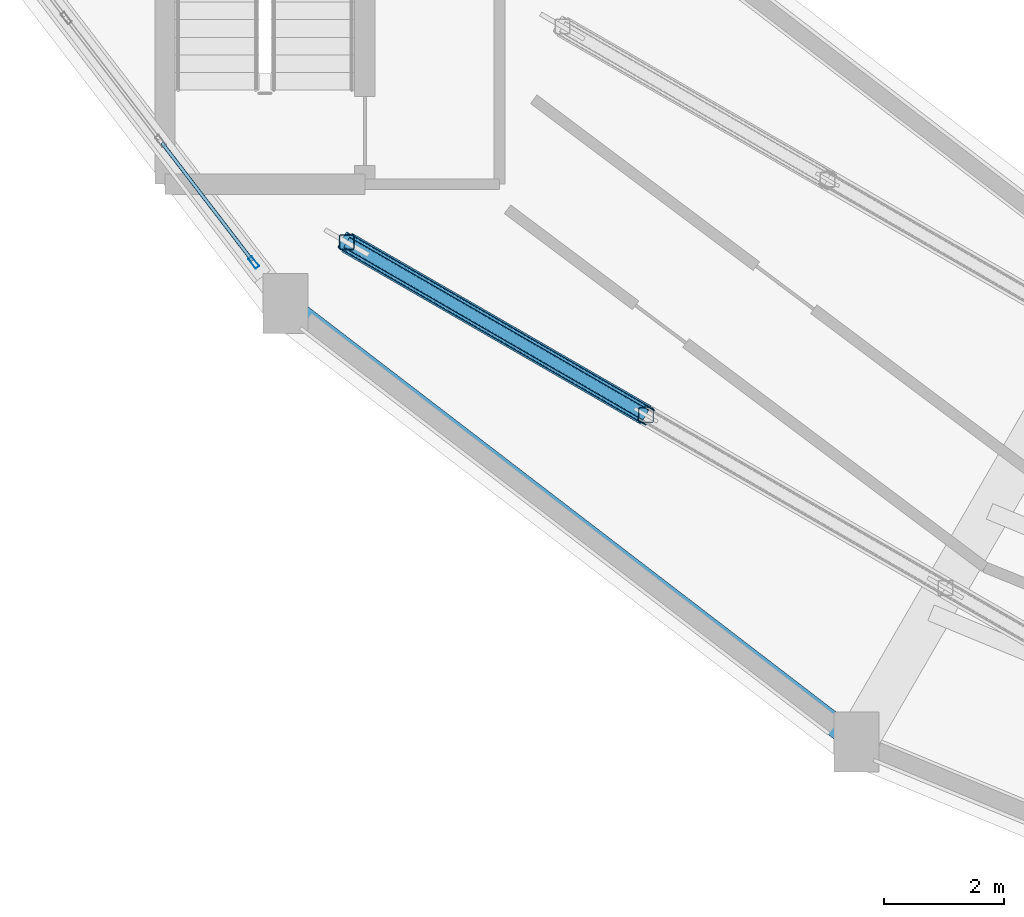
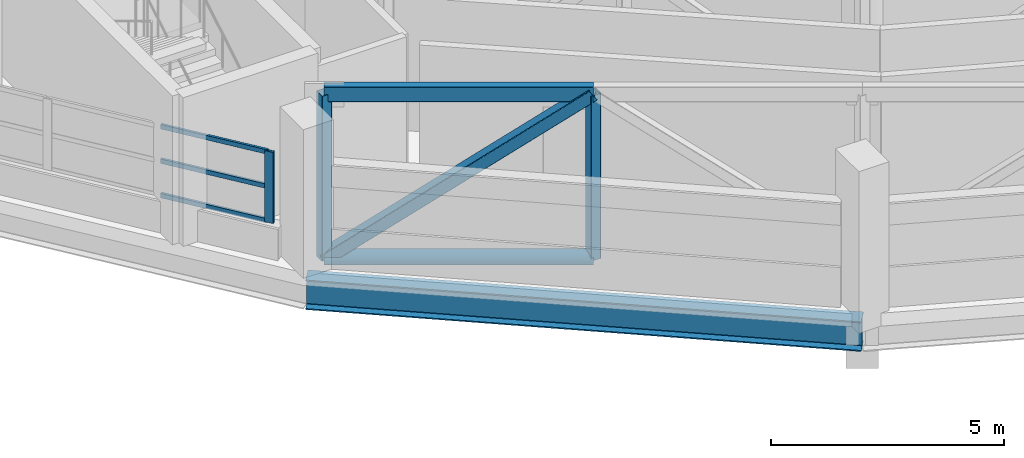
# One storey, part 12 of 121: 9 members, 1 beam, 1 element without a shape of its own.
"""IFC4 building model written with IfcOpenShell, lengths in metres."""

from ifc_helpers import new_model, si_unit, direction, frame, origin, origin_2d, place, context, subcontext, project, spatial, hollow_rectangle, hollow_circle, i_section, extrude, material, layer, layer_set, material_profile, profile_set, type_object, element, aggregate, save


model = new_model("IFC4")

# Units and contexts
model_context = context("Model", 3, precision=1e-05, world=origin(), true_north=direction((0.0, 1.0)))
body_context = subcontext(model_context, "Body", "Model", "MODEL_VIEW")
ifc_project = project(units=[si_unit("LENGTHUNIT", "METRE"), si_unit("AREAUNIT", "SQUARE_METRE"), si_unit("VOLUMEUNIT", "CUBIC_METRE"), si_unit("PLANEANGLEUNIT", "RADIAN"), si_unit("MASSUNIT", "GRAM", prefix="KILO")], contexts=[model_context])

# Site, building, storey
site_placement = place(None, origin())
site = spatial("IfcSite", under=ifc_project, at=site_placement, CompositionType="ELEMENT")
building_placement = place(site_placement, origin())
building = spatial("IfcBuilding", under=site, at=building_placement, Name="Vespera Passage Community Centre", CompositionType="ELEMENT")
storey_placement = place(building_placement, frame((0.0, 0.0, 8.699951171875)))
storey = spatial("IfcBuildingStorey", under=building, at=storey_placement, Name="L02", CompositionType="ELEMENT", Elevation=8.699951171875)

# Member
ifc_material_1 = material(Name="Steel ASTM A500 Grade C", Category="steel")
ifc_material_profile_1 = material_profile(ifc_material_1, hollow_circle(Radius=0.177734375, WallThickness=0.014892578125, at=origin_2d()), Name="CHS356X15.9")
ifc_profile_set_1 = profile_set([ifc_material_profile_1], Name="Steel ASTM A500 Grade C")
member_type_1 = type_object("IfcMemberType", Name="BC-356", PredefinedType="CHORD", material=ifc_profile_set_1)
member_1_placement = place(storey_placement, frame((46.427734375, 33.927734375, -0.849853515625), z_axis=(0.866013897511, -0.50001992892, 0.0), x_axis=(0.50001992892, 0.866013897511, 0.0)))
element("IfcMember", 1, at=member_1_placement, inside=storey, type_object=member_type_1, Name="BC-356 Transfer Truss Chord TR2O.1", PredefinedType="CHORD", context=body_context, shape_type="SweptSolid", body=[
    extrude(hollow_circle(Radius=0.177734375, WallThickness=0.014892578125, at=origin_2d()), origin(), (0.0, 0.0, 1.0), 5.778076171875),
])

# Beam
ifc_material_2 = material(Name="Steel ASTM A992 Grade 50", Category="steel")
ifc_material_profile_2 = material_profile(ifc_material_2, i_section(OverallWidth=0.382080078125, OverallDepth=0.779296875, WebThickness=0.01806640625, FlangeThickness=0.030029296875, FilletRadius=0.0166015625, at=origin_2d()), Name="W30X191")
ifc_profile_set_2 = profile_set([ifc_material_profile_2], Name="Steel ASTM A992 Grade 50")
beam_type = type_object("IfcBeamType", Name="BM-SP-W30X191E", PredefinedType="SPANDREL", material=ifc_profile_set_2)
beam_placement = place(storey_placement, frame((45.40234375, 32.90234375, -0.729736328125), z_axis=(0.793351934501, -0.608763261066, 0.0), x_axis=(0.608763261066, 0.793351934501, 0.0)))
element("IfcBeam", 2, at=beam_placement, inside=storey, type_object=beam_type, Name="V4 L02 Outer Spandrel 15", PredefinedType="SPANDREL", context=body_context, shape_type="SweptSolid", body=[
    extrude(i_section(OverallWidth=0.382080078125, OverallDepth=0.779296875, WebThickness=0.01806640625, FlangeThickness=0.030029296875, FilletRadius=0.0166015625, at=origin_2d()), origin(), (0.0, 0.0, 1.0), 12.034423828125),
])

# Curtain wall, members
ifc_material_3 = material(Name="Anodized aluminium 6063-T6", Category="aluminium")
ifc_layer = layer(ifc_material_3, 0.159912109375)
ifc_layer_set = layer_set([ifc_layer], Name="Anodized aluminium 6063-T6")
curtain_wall_type = type_object("IfcCurtainWallType", Name="CW-36E", PredefinedType="NOTDEFINED", material=ifc_layer_set)
curtain_wall_placement = place(storey_placement, origin())
curtain_wall = element("IfcCurtainWall", 3, at=curtain_wall_placement, inside=storey, type_object=curtain_wall_type, Name="V4 L02 Outer Ribbon Curtain Wall 14", PredefinedType="NOTDEFINED")
ifc_material_4 = material(Name="Anodized aluminium 6063-T6", Category="aluminium")
ifc_material_profile_3 = material_profile(ifc_material_4, hollow_rectangle(XDim=0.074951171875, YDim=0.2099609375, WallThickness=0.0048828125, InnerFilletRadius=0.00244140625, OuterFilletRadius=0.0048828125, at=origin_2d()), Name="ALU210X75X5")
ifc_profile_set_3 = profile_set([ifc_material_profile_3], Name="Anodized aluminium 6063-T6")
member_type_2 = type_object("IfcMemberType", Name="MB-CWM-210E", PredefinedType="MULLION", material=ifc_profile_set_3)
member_2_placement = place(storey_placement, frame((44.873779296875, 33.591552734375, 0.820068359375), z_axis=(0.0, 0.0, 1.0), x_axis=(-0.793350257139, -0.608765447029, 0.0)))
member_2 = element("IfcMember", 4, at=member_2_placement, type_object=member_type_2, Name="CW-36E mullion 1", PredefinedType="MULLION", context=body_context, shape_type="SweptSolid", body=[
    extrude(hollow_rectangle(XDim=0.074951171875, YDim=0.2099609375, WallThickness=0.0048828125, InnerFilletRadius=0.00244140625, OuterFilletRadius=0.0048828125, at=origin_2d()), origin(), (0.0, 0.0, 1.0), 1.865478515625),
])
ifc_material_5 = material(Name="Anodized aluminium 6063-T6", Category="aluminium")
ifc_material_profile_4 = material_profile(ifc_material_5, hollow_rectangle(XDim=0.06005859375, YDim=0.1201171875, WallThickness=0.00390625, InnerFilletRadius=0.001953125, OuterFilletRadius=0.00390625, at=origin_2d()), Name="ALU120X60X4")
ifc_profile_set_4 = profile_set([ifc_material_profile_4], Name="Anodized aluminium 6063-T6")
member_type_3 = type_object("IfcMemberType", Name="MB-CWT-120E", PredefinedType="USERDEFINED", material=ifc_profile_set_4)
member_3_placement = place(storey_placement, frame((44.850830078125, 33.62109375, 0.85009765625), z_axis=(-0.608735234275, 0.79337343953, 0.0), x_axis=(-0.79337343953, -0.608735234275, 0.0)))
member_3 = element("IfcMember", 5, at=member_3_placement, type_object=member_type_3, Name="CW-36E transom 1.1", ObjectType="TRANSOM", PredefinedType="USERDEFINED", context=body_context, shape_type="SweptSolid", body=[
    extrude(hollow_rectangle(XDim=0.06005859375, YDim=0.1201171875, WallThickness=0.00390625, InnerFilletRadius=0.001953125, OuterFilletRadius=0.00390625, at=origin_2d()), origin(), (0.0, 0.0, 1.0), 2.48046875),
])
member_4_placement = place(storey_placement, frame((44.850830078125, 33.62109375, 1.7529296875), z_axis=(-0.608735234275, 0.79337343953, 0.0), x_axis=(-0.79337343953, -0.608735234275, 0.0)))
member_4 = element("IfcMember", 6, at=member_4_placement, type_object=member_type_3, Name="CW-36E transom 1.2", ObjectType="TRANSOM", PredefinedType="USERDEFINED", context=body_context, shape_type="SweptSolid", body=[
    extrude(hollow_rectangle(XDim=0.06005859375, YDim=0.1201171875, WallThickness=0.00390625, InnerFilletRadius=0.001953125, OuterFilletRadius=0.00390625, at=origin_2d()), origin(), (0.0, 0.0, 1.0), 2.48046875),
])
member_5_placement = place(storey_placement, frame((44.850830078125, 33.62109375, 2.65576171875), z_axis=(-0.608735234275, 0.79337343953, 0.0), x_axis=(-0.79337343953, -0.608735234275, 0.0)))
member_5 = element("IfcMember", 7, at=member_5_placement, type_object=member_type_3, Name="CW-36E transom 1.3", ObjectType="TRANSOM", PredefinedType="USERDEFINED", context=body_context, shape_type="SweptSolid", body=[
    extrude(hollow_rectangle(XDim=0.06005859375, YDim=0.1201171875, WallThickness=0.00390625, InnerFilletRadius=0.001953125, OuterFilletRadius=0.00390625, at=origin_2d()), origin(), (0.0, 0.0, 1.0), 2.48046875),
])
aggregate(curtain_wall, [member_2, member_3, member_4, member_5])

# Members
ifc_material_6 = material(Name="Steel ASTM A500 Grade C", Category="steel")
ifc_material_profile_5 = material_profile(ifc_material_6, hollow_rectangle(XDim=0.203125, YDim=0.406494140625, WallThickness=0.014892578125, InnerFilletRadius=0.014892578125, OuterFilletRadius=0.029541015625, at=origin_2d()), Name="HSS406X203X15.9")
ifc_profile_set_5 = profile_set([ifc_material_profile_5], Name="Steel ASTM A500 Grade C")
member_type_4 = type_object("IfcMemberType", Name="TC-406", PredefinedType="CHORD", material=ifc_profile_set_5)
member_6_placement = place(storey_placement, frame((46.427734375, 33.927734375, 3.47998046875), z_axis=(0.866013897511, -0.50001992892, 0.0), x_axis=(0.50001992892, 0.866013897511, 0.0)))
element("IfcMember", 8, at=member_6_placement, inside=storey, type_object=member_type_4, Name="TC-406 Transfer Truss Chord TR2O.1", PredefinedType="CHORD", context=body_context, shape_type="SweptSolid", body=[
    extrude(hollow_rectangle(XDim=0.203125, YDim=0.406494140625, WallThickness=0.014892578125, InnerFilletRadius=0.014892578125, OuterFilletRadius=0.029541015625, at=origin_2d()), origin(), (0.0, 0.0, 1.0), 5.778076171875),
])
ifc_material_7 = material(Name="Steel ASTM A500 Grade C", Category="steel")
ifc_material_profile_6 = material_profile(ifc_material_7, hollow_rectangle(XDim=0.3046875, YDim=0.3046875, WallThickness=0.014892578125, InnerFilletRadius=0.014892578125, OuterFilletRadius=0.029541015625, at=origin_2d()), Name="HSS305X305X15.9")
ifc_profile_set_6 = profile_set([ifc_material_profile_6], Name="Steel ASTM A500 Grade C")
member_type_5 = type_object("IfcMemberType", Name="TD-305", PredefinedType="BRACE", material=ifc_profile_set_6)
member_7_placement = place(storey_placement, frame((46.427734375, 33.927734375, -0.849853515625), z_axis=(0.693026002738, -0.400140013485, 0.599669016323), x_axis=(0.50001992892, 0.866013897511, 0.0)))
element("IfcMember", 9, at=member_7_placement, inside=storey, type_object=member_type_5, Name="TD-305 Transfer Truss Diagonal TR2O.1", PredefinedType="BRACE", context=body_context, shape_type="SweptSolid", body=[
    extrude(hollow_rectangle(XDim=0.3046875, YDim=0.3046875, WallThickness=0.014892578125, InnerFilletRadius=0.014892578125, OuterFilletRadius=0.029541015625, at=origin_2d()), origin(), (0.0, 0.0, 1.0), 7.220458984375),
])
ifc_material_8 = material(Name="Steel ASTM A500 Grade C", Category="steel")
ifc_material_profile_7 = material_profile(ifc_material_8, hollow_rectangle(XDim=0.25390625, YDim=0.25390625, WallThickness=0.01171875, InnerFilletRadius=0.01171875, OuterFilletRadius=0.023681640625, at=origin_2d()), Name="HSS254X254X12.7")
ifc_profile_set_7 = profile_set([ifc_material_profile_7], Name="Steel ASTM A500 Grade C")
member_type_6 = type_object("IfcMemberType", Name="TP-254", PredefinedType="POST", material=ifc_profile_set_7)
for number, where, z_axis, x_axis, name in (
    (10, (46.427734375, 33.927734375, -0.849853515625), (0.0, 0.0, 1.0), (1.0, 0.0, 0.0), "Truss TR2O Vertical Post 1"),
    (11, (51.431640625, 31.03857421875, -0.849853515625), (0.0, 0.0, 1.0), (1.0, 0.0, 0.0), "Truss TR2O Vertical Post 2"),
):
    element("IfcMember", number, at=place(storey_placement, frame(where, z_axis=z_axis, x_axis=x_axis)), inside=storey, type_object=member_type_6, Name=name, PredefinedType="POST", context=body_context, shape_type="SweptSolid", body=[
        extrude(hollow_rectangle(XDim=0.25390625, YDim=0.25390625, WallThickness=0.01171875, InnerFilletRadius=0.01171875, OuterFilletRadius=0.023681640625, at=origin_2d()), origin(), (0.0, 0.0, 1.0), 4.329833984375),
    ])

save(model, "model.ifc")
